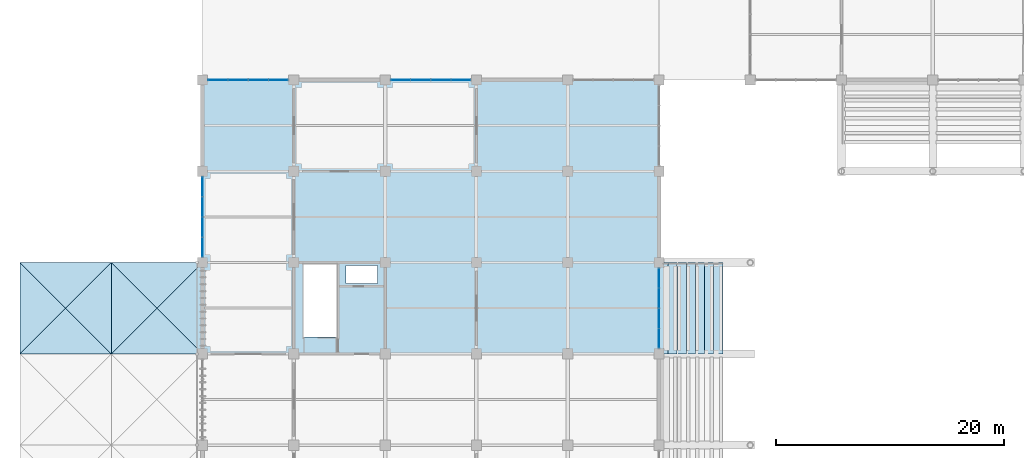
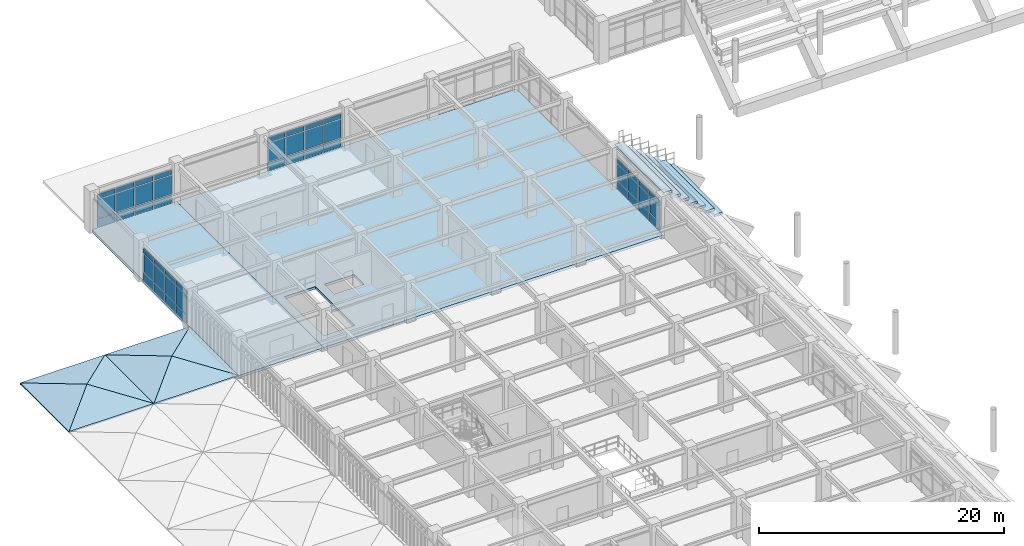
# One storey, part 79 of 118: 48 plates, 17 slabs, 4 elements without a shape of their own.
"""IFC4 building model written with IfcOpenShell, lengths in metres."""

from ifc_helpers import new_model, si_unit, direction, frame, origin, origin_2d, place, context, subcontext, project, spatial, polyline, rectangle, outline, extrude, material, layer, layer_set, type_object, element, aggregate, save


model = new_model("IFC4")

# Units and contexts
model_context = context("Model", 3, precision=1e-05, world=origin(), true_north=direction((0.0, 1.0)))
body_context = subcontext(model_context, "Body", "Model", "MODEL_VIEW")
ifc_project = project(units=[si_unit("LENGTHUNIT", "METRE"), si_unit("AREAUNIT", "SQUARE_METRE"), si_unit("VOLUMEUNIT", "CUBIC_METRE"), si_unit("PLANEANGLEUNIT", "RADIAN"), si_unit("MASSUNIT", "GRAM", prefix="KILO")], contexts=[model_context])

# Site, building, storey
site_placement = place(None, origin())
site = spatial("IfcSite", under=ifc_project, at=site_placement, CompositionType="ELEMENT")
building_placement = place(site_placement, origin())
building = spatial("IfcBuilding", under=site, at=building_placement, Name="Haebicheon Civic Stadium", CompositionType="ELEMENT")
storey_placement = place(building_placement, frame((0.0, 0.0, 14.39990234375)))
storey = spatial("IfcBuildingStorey", under=building, at=storey_placement, Name="L04", CompositionType="ELEMENT", Elevation=14.39990234375)

# Curtain wall, plates
ifc_material_1 = material(Name="Anodised aluminium and laminated glass", Category="aluminium")
ifc_layer_1 = layer(ifc_material_1, 0.179931640625, Name="Anodised aluminium and laminated glass")
ifc_layer_set_1 = layer_set([ifc_layer_1], Name="Anodised aluminium and laminated glass")
curtain_wall_type_1 = type_object("IfcCurtainWallType", Name="CW-7100x3330", PredefinedType="NOTDEFINED", material=ifc_layer_set_1)
curtain_wall_1_placement = place(storey_placement, origin())
curtain_wall_1 = element("IfcCurtainWall", 1, at=curtain_wall_1_placement, inside=storey, type_object=curtain_wall_type_1, material=ifc_layer_set_1, Name="L04 unitised curtain wall 111", PredefinedType="NOTDEFINED")
ifc_material_2 = material(Name="Double low-e acoustic laminated glass", Category="glass")
ifc_layer_2 = layer(ifc_material_2, 0.035888671875, Name="Double low-e acoustic laminated glass")
ifc_layer_set_2 = layer_set([ifc_layer_2], Name="Double low-e acoustic laminated glass")
plate_type_1 = type_object("IfcPlateType", Name="CWP-GLZ-36", PredefinedType="CURTAIN_PANEL", material=ifc_layer_set_2)
plate_1_placement = place(storey_placement, frame((24.0, 137.35498046875, 0.93505859375), z_axis=(0.0, 0.0, 1.0), x_axis=(0.0, 1.0, 0.0)))
plate_1 = element("IfcPlate", 2, at=plate_1_placement, type_object=plate_type_1, material=ifc_layer_set_2, Name="CW-L04-111 vision panel 1.2", PredefinedType="CURTAIN_PANEL", context=body_context, shape_type="SweptSolid", body=[
    extrude(rectangle(XDim=1.669921875, YDim=0.035888671875, at=origin_2d()), origin(), (0.0, 0.0, 1.0), 1.81005859375),
])
plate_2_placement = place(storey_placement, frame((24.0, 139.112060546875, 0.93505859375), z_axis=(0.0, 0.0, 1.0), x_axis=(0.0, 1.0, 0.0)))
plate_2 = element("IfcPlate", 3, at=plate_2_placement, type_object=plate_type_1, material=ifc_layer_set_2, Name="CW-L04-111 vision panel 2.2", PredefinedType="CURTAIN_PANEL", context=body_context, shape_type="SweptSolid", body=[
    extrude(rectangle(XDim=1.705078125, YDim=0.035888671875, at=origin_2d()), origin(), (0.0, 0.0, 1.0), 1.81005859375),
])
plate_3_placement = place(storey_placement, frame((24.0, 140.887939453125, 0.93505859375), z_axis=(0.0, 0.0, 1.0), x_axis=(0.0, 1.0, 0.0)))
plate_3 = element("IfcPlate", 4, at=plate_3_placement, type_object=plate_type_1, material=ifc_layer_set_2, Name="CW-L04-111 vision panel 3.2", PredefinedType="CURTAIN_PANEL", context=body_context, shape_type="SweptSolid", body=[
    extrude(rectangle(XDim=1.705078125, YDim=0.035888671875, at=origin_2d()), origin(), (0.0, 0.0, 1.0), 1.81005859375),
])
plate_4_placement = place(storey_placement, frame((24.0, 142.64501953125, 0.93505859375), z_axis=(0.0, 0.0, 1.0), x_axis=(0.0, 1.0, 0.0)))
plate_4 = element("IfcPlate", 5, at=plate_4_placement, type_object=plate_type_1, material=ifc_layer_set_2, Name="CW-L04-111 vision panel 4.2", PredefinedType="CURTAIN_PANEL", context=body_context, shape_type="SweptSolid", body=[
    extrude(rectangle(XDim=1.669921875, YDim=0.035888671875, at=origin_2d()), origin(), (0.0, 0.0, 1.0), 1.81005859375),
])

ifc_material_3 = material(Name="Anodised aluminium and laminated glass", Category="aluminium")
ifc_layer_3 = layer(ifc_material_3, 0.179931640625, Name="Anodised aluminium and laminated glass")
ifc_layer_set_3 = layer_set([ifc_layer_3], Name="Anodised aluminium and laminated glass")
curtain_wall_type_2 = type_object("IfcCurtainWallType", Name="CW-7100x3350", PredefinedType="NOTDEFINED", material=ifc_layer_set_3)
curtain_wall_2_placement = place(storey_placement, origin())
curtain_wall_2 = element("IfcCurtainWall", 6, at=curtain_wall_2_placement, inside=storey, type_object=curtain_wall_type_2, material=ifc_layer_set_3, Name="L04 unitised curtain wall 112", PredefinedType="NOTDEFINED")
plate_5_placement = place(storey_placement, frame((25.35498046875, 152.0, 0.93505859375), z_axis=(0.0, 0.0, 1.0), x_axis=(1.0, 0.0, 0.0)))
plate_5 = element("IfcPlate", 7, at=plate_5_placement, type_object=plate_type_1, material=ifc_layer_set_2, Name="CW-L04-112 vision panel 1.2", PredefinedType="CURTAIN_PANEL", context=body_context, shape_type="SweptSolid", body=[
    extrude(rectangle(XDim=1.669921875, YDim=0.035888671875, at=origin_2d()), origin(), (0.0, 0.0, 1.0), 1.830078125),
])
plate_6_placement = place(storey_placement, frame((27.112060546875, 152.0, 0.93505859375), z_axis=(0.0, 0.0, 1.0), x_axis=(1.0, 0.0, 0.0)))
plate_6 = element("IfcPlate", 8, at=plate_6_placement, type_object=plate_type_1, material=ifc_layer_set_2, Name="CW-L04-112 vision panel 2.2", PredefinedType="CURTAIN_PANEL", context=body_context, shape_type="SweptSolid", body=[
    extrude(rectangle(XDim=1.705078125, YDim=0.035888671875, at=origin_2d()), origin(), (0.0, 0.0, 1.0), 1.830078125),
])
plate_7_placement = place(storey_placement, frame((28.887939453125, 152.0, 0.93505859375), z_axis=(0.0, 0.0, 1.0), x_axis=(1.0, 0.0, 0.0)))
plate_7 = element("IfcPlate", 9, at=plate_7_placement, type_object=plate_type_1, material=ifc_layer_set_2, Name="CW-L04-112 vision panel 3.2", PredefinedType="CURTAIN_PANEL", context=body_context, shape_type="SweptSolid", body=[
    extrude(rectangle(XDim=1.705078125, YDim=0.035888671875, at=origin_2d()), origin(), (0.0, 0.0, 1.0), 1.830078125),
])
plate_8_placement = place(storey_placement, frame((30.64501953125, 152.0, 0.93505859375), z_axis=(0.0, 0.0, 1.0), x_axis=(1.0, 0.0, 0.0)))
plate_8 = element("IfcPlate", 10, at=plate_8_placement, type_object=plate_type_1, material=ifc_layer_set_2, Name="CW-L04-112 vision panel 4.2", PredefinedType="CURTAIN_PANEL", context=body_context, shape_type="SweptSolid", body=[
    extrude(rectangle(XDim=1.669921875, YDim=0.035888671875, at=origin_2d()), origin(), (0.0, 0.0, 1.0), 1.830078125),
])

curtain_wall_3_placement = place(storey_placement, origin())
curtain_wall_3 = element("IfcCurtainWall", 11, at=curtain_wall_3_placement, inside=storey, type_object=curtain_wall_type_2, material=ifc_layer_set_3, Name="L04 unitised curtain wall 114", PredefinedType="NOTDEFINED")
plate_9_placement = place(storey_placement, frame((41.35498046875, 152.0, 0.93505859375), z_axis=(0.0, 0.0, 1.0), x_axis=(1.0, 0.0, 0.0)))
plate_9 = element("IfcPlate", 12, at=plate_9_placement, type_object=plate_type_1, material=ifc_layer_set_2, Name="CW-L04-114 vision panel 1.2", PredefinedType="CURTAIN_PANEL", context=body_context, shape_type="SweptSolid", body=[
    extrude(rectangle(XDim=1.669921875, YDim=0.035888671875, at=origin_2d()), origin(), (0.0, 0.0, 1.0), 1.830078125),
])
plate_10_placement = place(storey_placement, frame((43.112060546875, 152.0, 0.93505859375), z_axis=(0.0, 0.0, 1.0), x_axis=(1.0, 0.0, 0.0)))
plate_10 = element("IfcPlate", 13, at=plate_10_placement, type_object=plate_type_1, material=ifc_layer_set_2, Name="CW-L04-114 vision panel 2.2", PredefinedType="CURTAIN_PANEL", context=body_context, shape_type="SweptSolid", body=[
    extrude(rectangle(XDim=1.705078125, YDim=0.035888671875, at=origin_2d()), origin(), (0.0, 0.0, 1.0), 1.830078125),
])
plate_11_placement = place(storey_placement, frame((44.887939453125, 152.0, 0.93505859375), z_axis=(0.0, 0.0, 1.0), x_axis=(1.0, 0.0, 0.0)))
plate_11 = element("IfcPlate", 14, at=plate_11_placement, type_object=plate_type_1, material=ifc_layer_set_2, Name="CW-L04-114 vision panel 3.2", PredefinedType="CURTAIN_PANEL", context=body_context, shape_type="SweptSolid", body=[
    extrude(rectangle(XDim=1.705078125, YDim=0.035888671875, at=origin_2d()), origin(), (0.0, 0.0, 1.0), 1.830078125),
])
plate_12_placement = place(storey_placement, frame((46.64501953125, 152.0, 0.93505859375), z_axis=(0.0, 0.0, 1.0), x_axis=(1.0, 0.0, 0.0)))
plate_12 = element("IfcPlate", 15, at=plate_12_placement, type_object=plate_type_1, material=ifc_layer_set_2, Name="CW-L04-114 vision panel 4.2", PredefinedType="CURTAIN_PANEL", context=body_context, shape_type="SweptSolid", body=[
    extrude(rectangle(XDim=1.669921875, YDim=0.035888671875, at=origin_2d()), origin(), (0.0, 0.0, 1.0), 1.830078125),
])

ifc_material_4 = material(Name="Anodised aluminium and laminated glass", Category="aluminium")
ifc_layer_4 = layer(ifc_material_4, 0.179931640625, Name="Anodised aluminium and laminated glass")
ifc_layer_set_4 = layer_set([ifc_layer_4], Name="Anodised aluminium and laminated glass")
curtain_wall_type_3 = type_object("IfcCurtainWallType", Name="CW-7100x3100", PredefinedType="NOTDEFINED", material=ifc_layer_set_4)
curtain_wall_4_placement = place(storey_placement, origin())
curtain_wall_4 = element("IfcCurtainWall", 16, at=curtain_wall_4_placement, inside=storey, type_object=curtain_wall_type_3, material=ifc_layer_set_4, Name="L04 unitised curtain wall 122", PredefinedType="NOTDEFINED")
plate_13_placement = place(storey_placement, frame((64.0, 129.35498046875, 0.93505859375), z_axis=(0.0, 0.0, 1.0), x_axis=(0.0, 1.0, 0.0)))
plate_13 = element("IfcPlate", 17, at=plate_13_placement, type_object=plate_type_1, material=ifc_layer_set_2, Name="CW-L04-122 vision panel 1.2", PredefinedType="CURTAIN_PANEL", context=body_context, shape_type="SweptSolid", body=[
    extrude(rectangle(XDim=1.669921875, YDim=0.035888671875, at=origin_2d()), origin(), (0.0, 0.0, 1.0), 1.580078125),
])
plate_14_placement = place(storey_placement, frame((64.0, 131.112060546875, 0.93505859375), z_axis=(0.0, 0.0, 1.0), x_axis=(0.0, 1.0, 0.0)))
plate_14 = element("IfcPlate", 18, at=plate_14_placement, type_object=plate_type_1, material=ifc_layer_set_2, Name="CW-L04-122 vision panel 2.2", PredefinedType="CURTAIN_PANEL", context=body_context, shape_type="SweptSolid", body=[
    extrude(rectangle(XDim=1.705078125, YDim=0.035888671875, at=origin_2d()), origin(), (0.0, 0.0, 1.0), 1.580078125),
])
plate_15_placement = place(storey_placement, frame((64.0, 132.887939453125, 0.93505859375), z_axis=(0.0, 0.0, 1.0), x_axis=(0.0, 1.0, 0.0)))
plate_15 = element("IfcPlate", 19, at=plate_15_placement, type_object=plate_type_1, material=ifc_layer_set_2, Name="CW-L04-122 vision panel 3.2", PredefinedType="CURTAIN_PANEL", context=body_context, shape_type="SweptSolid", body=[
    extrude(rectangle(XDim=1.705078125, YDim=0.035888671875, at=origin_2d()), origin(), (0.0, 0.0, 1.0), 1.580078125),
])
plate_16_placement = place(storey_placement, frame((64.0, 134.64501953125, 0.93505859375), z_axis=(0.0, 0.0, 1.0), x_axis=(0.0, 1.0, 0.0)))
plate_16 = element("IfcPlate", 20, at=plate_16_placement, type_object=plate_type_1, material=ifc_layer_set_2, Name="CW-L04-122 vision panel 4.2", PredefinedType="CURTAIN_PANEL", context=body_context, shape_type="SweptSolid", body=[
    extrude(rectangle(XDim=1.669921875, YDim=0.035888671875, at=origin_2d()), origin(), (0.0, 0.0, 1.0), 1.580078125),
])

# Plate
ifc_material_5 = material(Name="Anodised aluminium 6063-T6", Category="aluminium")
ifc_layer_5 = layer(ifc_material_5, 0.053955078125, Name="Anodised aluminium 6063-T6")
ifc_layer_set_5 = layer_set([ifc_layer_5], Name="Anodised aluminium 6063-T6")
plate_type_2 = type_object("IfcPlateType", Name="CWP-SPD-54", PredefinedType="CURTAIN_PANEL", material=ifc_layer_set_5)
plate_17_placement = place(storey_placement, frame((24.0, 137.35498046875, 0.03515625), z_axis=(0.0, 0.0, 1.0), x_axis=(0.0, 1.0, 0.0)))
plate_17 = element("IfcPlate", 21, at=plate_17_placement, type_object=plate_type_2, material=ifc_layer_set_5, Name="CW-L04-111 spandrel panel 1.1", PredefinedType="CURTAIN_PANEL", context=body_context, shape_type="SweptSolid", body=[
    extrude(rectangle(XDim=1.669921875, YDim=0.053955078125, at=origin_2d()), origin(), (0.0, 0.0, 1.0), 0.830078125),
])

plate_18_placement = place(storey_placement, frame((24.0, 137.35498046875, 2.815185546875), z_axis=(0.0, 0.0, 1.0), x_axis=(0.0, 1.0, 0.0)))
plate_18 = element("IfcPlate", 22, at=plate_18_placement, type_object=plate_type_2, material=ifc_layer_set_5, Name="CW-L04-111 spandrel panel 1.3", PredefinedType="CURTAIN_PANEL", context=body_context, shape_type="SweptSolid", body=[
    extrude(rectangle(XDim=1.669921875, YDim=0.053955078125, at=origin_2d()), origin(), (0.0, 0.0, 1.0), 0.47998046875),
])

plate_19_placement = place(storey_placement, frame((24.0, 139.112060546875, 0.03515625), z_axis=(0.0, 0.0, 1.0), x_axis=(0.0, 1.0, 0.0)))
plate_19 = element("IfcPlate", 23, at=plate_19_placement, type_object=plate_type_2, material=ifc_layer_set_5, Name="CW-L04-111 spandrel panel 2.1", PredefinedType="CURTAIN_PANEL", context=body_context, shape_type="SweptSolid", body=[
    extrude(rectangle(XDim=1.705078125, YDim=0.053955078125, at=origin_2d()), origin(), (0.0, 0.0, 1.0), 0.830078125),
])

plate_20_placement = place(storey_placement, frame((24.0, 139.112060546875, 2.815185546875), z_axis=(0.0, 0.0, 1.0), x_axis=(0.0, 1.0, 0.0)))
plate_20 = element("IfcPlate", 24, at=plate_20_placement, type_object=plate_type_2, material=ifc_layer_set_5, Name="CW-L04-111 spandrel panel 2.3", PredefinedType="CURTAIN_PANEL", context=body_context, shape_type="SweptSolid", body=[
    extrude(rectangle(XDim=1.705078125, YDim=0.053955078125, at=origin_2d()), origin(), (0.0, 0.0, 1.0), 0.47998046875),
])

plate_21_placement = place(storey_placement, frame((24.0, 140.887939453125, 0.03515625), z_axis=(0.0, 0.0, 1.0), x_axis=(0.0, 1.0, 0.0)))
plate_21 = element("IfcPlate", 25, at=plate_21_placement, type_object=plate_type_2, material=ifc_layer_set_5, Name="CW-L04-111 spandrel panel 3.1", PredefinedType="CURTAIN_PANEL", context=body_context, shape_type="SweptSolid", body=[
    extrude(rectangle(XDim=1.705078125, YDim=0.053955078125, at=origin_2d()), origin(), (0.0, 0.0, 1.0), 0.830078125),
])

plate_22_placement = place(storey_placement, frame((24.0, 140.887939453125, 2.815185546875), z_axis=(0.0, 0.0, 1.0), x_axis=(0.0, 1.0, 0.0)))
plate_22 = element("IfcPlate", 26, at=plate_22_placement, type_object=plate_type_2, material=ifc_layer_set_5, Name="CW-L04-111 spandrel panel 3.3", PredefinedType="CURTAIN_PANEL", context=body_context, shape_type="SweptSolid", body=[
    extrude(rectangle(XDim=1.705078125, YDim=0.053955078125, at=origin_2d()), origin(), (0.0, 0.0, 1.0), 0.47998046875),
])

plate_23_placement = place(storey_placement, frame((24.0, 142.64501953125, 0.03515625), z_axis=(0.0, 0.0, 1.0), x_axis=(0.0, 1.0, 0.0)))
plate_23 = element("IfcPlate", 27, at=plate_23_placement, type_object=plate_type_2, material=ifc_layer_set_5, Name="CW-L04-111 spandrel panel 4.1", PredefinedType="CURTAIN_PANEL", context=body_context, shape_type="SweptSolid", body=[
    extrude(rectangle(XDim=1.669921875, YDim=0.053955078125, at=origin_2d()), origin(), (0.0, 0.0, 1.0), 0.830078125),
])

plate_24_placement = place(storey_placement, frame((24.0, 142.64501953125, 2.815185546875), z_axis=(0.0, 0.0, 1.0), x_axis=(0.0, 1.0, 0.0)))
plate_24 = element("IfcPlate", 28, at=plate_24_placement, type_object=plate_type_2, material=ifc_layer_set_5, Name="CW-L04-111 spandrel panel 4.3", PredefinedType="CURTAIN_PANEL", context=body_context, shape_type="SweptSolid", body=[
    extrude(rectangle(XDim=1.669921875, YDim=0.053955078125, at=origin_2d()), origin(), (0.0, 0.0, 1.0), 0.47998046875),
])

aggregate(curtain_wall_1, [plate_17, plate_1, plate_18, plate_19, plate_2, plate_20, plate_21, plate_3, plate_22, plate_23, plate_4, plate_24])

plate_25_placement = place(storey_placement, frame((25.35498046875, 152.0, 0.03515625), z_axis=(0.0, 0.0, 1.0), x_axis=(1.0, 0.0, 0.0)))
plate_25 = element("IfcPlate", 29, at=plate_25_placement, type_object=plate_type_2, material=ifc_layer_set_5, Name="CW-L04-112 spandrel panel 1.1", PredefinedType="CURTAIN_PANEL", context=body_context, shape_type="SweptSolid", body=[
    extrude(rectangle(XDim=1.669921875, YDim=0.053955078125, at=origin_2d()), origin(), (0.0, 0.0, 1.0), 0.830078125),
])

plate_26_placement = place(storey_placement, frame((25.35498046875, 152.0, 2.835205078125), z_axis=(0.0, 0.0, 1.0), x_axis=(1.0, 0.0, 0.0)))
plate_26 = element("IfcPlate", 30, at=plate_26_placement, type_object=plate_type_2, material=ifc_layer_set_5, Name="CW-L04-112 spandrel panel 1.3", PredefinedType="CURTAIN_PANEL", context=body_context, shape_type="SweptSolid", body=[
    extrude(rectangle(XDim=1.669921875, YDim=0.053955078125, at=origin_2d()), origin(), (0.0, 0.0, 1.0), 0.47998046875),
])

plate_27_placement = place(storey_placement, frame((27.112060546875, 152.0, 0.03515625), z_axis=(0.0, 0.0, 1.0), x_axis=(1.0, 0.0, 0.0)))
plate_27 = element("IfcPlate", 31, at=plate_27_placement, type_object=plate_type_2, material=ifc_layer_set_5, Name="CW-L04-112 spandrel panel 2.1", PredefinedType="CURTAIN_PANEL", context=body_context, shape_type="SweptSolid", body=[
    extrude(rectangle(XDim=1.705078125, YDim=0.053955078125, at=origin_2d()), origin(), (0.0, 0.0, 1.0), 0.830078125),
])

plate_28_placement = place(storey_placement, frame((27.112060546875, 152.0, 2.835205078125), z_axis=(0.0, 0.0, 1.0), x_axis=(1.0, 0.0, 0.0)))
plate_28 = element("IfcPlate", 32, at=plate_28_placement, type_object=plate_type_2, material=ifc_layer_set_5, Name="CW-L04-112 spandrel panel 2.3", PredefinedType="CURTAIN_PANEL", context=body_context, shape_type="SweptSolid", body=[
    extrude(rectangle(XDim=1.705078125, YDim=0.053955078125, at=origin_2d()), origin(), (0.0, 0.0, 1.0), 0.47998046875),
])

plate_29_placement = place(storey_placement, frame((28.887939453125, 152.0, 0.03515625), z_axis=(0.0, 0.0, 1.0), x_axis=(1.0, 0.0, 0.0)))
plate_29 = element("IfcPlate", 33, at=plate_29_placement, type_object=plate_type_2, material=ifc_layer_set_5, Name="CW-L04-112 spandrel panel 3.1", PredefinedType="CURTAIN_PANEL", context=body_context, shape_type="SweptSolid", body=[
    extrude(rectangle(XDim=1.705078125, YDim=0.053955078125, at=origin_2d()), origin(), (0.0, 0.0, 1.0), 0.830078125),
])

plate_30_placement = place(storey_placement, frame((28.887939453125, 152.0, 2.835205078125), z_axis=(0.0, 0.0, 1.0), x_axis=(1.0, 0.0, 0.0)))
plate_30 = element("IfcPlate", 34, at=plate_30_placement, type_object=plate_type_2, material=ifc_layer_set_5, Name="CW-L04-112 spandrel panel 3.3", PredefinedType="CURTAIN_PANEL", context=body_context, shape_type="SweptSolid", body=[
    extrude(rectangle(XDim=1.705078125, YDim=0.053955078125, at=origin_2d()), origin(), (0.0, 0.0, 1.0), 0.47998046875),
])

plate_31_placement = place(storey_placement, frame((30.64501953125, 152.0, 0.03515625), z_axis=(0.0, 0.0, 1.0), x_axis=(1.0, 0.0, 0.0)))
plate_31 = element("IfcPlate", 35, at=plate_31_placement, type_object=plate_type_2, material=ifc_layer_set_5, Name="CW-L04-112 spandrel panel 4.1", PredefinedType="CURTAIN_PANEL", context=body_context, shape_type="SweptSolid", body=[
    extrude(rectangle(XDim=1.669921875, YDim=0.053955078125, at=origin_2d()), origin(), (0.0, 0.0, 1.0), 0.830078125),
])

plate_32_placement = place(storey_placement, frame((30.64501953125, 152.0, 2.835205078125), z_axis=(0.0, 0.0, 1.0), x_axis=(1.0, 0.0, 0.0)))
plate_32 = element("IfcPlate", 36, at=plate_32_placement, type_object=plate_type_2, material=ifc_layer_set_5, Name="CW-L04-112 spandrel panel 4.3", PredefinedType="CURTAIN_PANEL", context=body_context, shape_type="SweptSolid", body=[
    extrude(rectangle(XDim=1.669921875, YDim=0.053955078125, at=origin_2d()), origin(), (0.0, 0.0, 1.0), 0.47998046875),
])

aggregate(curtain_wall_2, [plate_25, plate_5, plate_26, plate_27, plate_6, plate_28, plate_29, plate_7, plate_30, plate_31, plate_8, plate_32])

plate_33_placement = place(storey_placement, frame((41.35498046875, 152.0, 0.03515625), z_axis=(0.0, 0.0, 1.0), x_axis=(1.0, 0.0, 0.0)))
plate_33 = element("IfcPlate", 37, at=plate_33_placement, type_object=plate_type_2, material=ifc_layer_set_5, Name="CW-L04-114 spandrel panel 1.1", PredefinedType="CURTAIN_PANEL", context=body_context, shape_type="SweptSolid", body=[
    extrude(rectangle(XDim=1.669921875, YDim=0.053955078125, at=origin_2d()), origin(), (0.0, 0.0, 1.0), 0.830078125),
])

plate_34_placement = place(storey_placement, frame((41.35498046875, 152.0, 2.835205078125), z_axis=(0.0, 0.0, 1.0), x_axis=(1.0, 0.0, 0.0)))
plate_34 = element("IfcPlate", 38, at=plate_34_placement, type_object=plate_type_2, material=ifc_layer_set_5, Name="CW-L04-114 spandrel panel 1.3", PredefinedType="CURTAIN_PANEL", context=body_context, shape_type="SweptSolid", body=[
    extrude(rectangle(XDim=1.669921875, YDim=0.053955078125, at=origin_2d()), origin(), (0.0, 0.0, 1.0), 0.47998046875),
])

plate_35_placement = place(storey_placement, frame((43.112060546875, 152.0, 0.03515625), z_axis=(0.0, 0.0, 1.0), x_axis=(1.0, 0.0, 0.0)))
plate_35 = element("IfcPlate", 39, at=plate_35_placement, type_object=plate_type_2, material=ifc_layer_set_5, Name="CW-L04-114 spandrel panel 2.1", PredefinedType="CURTAIN_PANEL", context=body_context, shape_type="SweptSolid", body=[
    extrude(rectangle(XDim=1.705078125, YDim=0.053955078125, at=origin_2d()), origin(), (0.0, 0.0, 1.0), 0.830078125),
])

plate_36_placement = place(storey_placement, frame((43.112060546875, 152.0, 2.835205078125), z_axis=(0.0, 0.0, 1.0), x_axis=(1.0, 0.0, 0.0)))
plate_36 = element("IfcPlate", 40, at=plate_36_placement, type_object=plate_type_2, material=ifc_layer_set_5, Name="CW-L04-114 spandrel panel 2.3", PredefinedType="CURTAIN_PANEL", context=body_context, shape_type="SweptSolid", body=[
    extrude(rectangle(XDim=1.705078125, YDim=0.053955078125, at=origin_2d()), origin(), (0.0, 0.0, 1.0), 0.47998046875),
])

plate_37_placement = place(storey_placement, frame((44.887939453125, 152.0, 0.03515625), z_axis=(0.0, 0.0, 1.0), x_axis=(1.0, 0.0, 0.0)))
plate_37 = element("IfcPlate", 41, at=plate_37_placement, type_object=plate_type_2, material=ifc_layer_set_5, Name="CW-L04-114 spandrel panel 3.1", PredefinedType="CURTAIN_PANEL", context=body_context, shape_type="SweptSolid", body=[
    extrude(rectangle(XDim=1.705078125, YDim=0.053955078125, at=origin_2d()), origin(), (0.0, 0.0, 1.0), 0.830078125),
])

plate_38_placement = place(storey_placement, frame((44.887939453125, 152.0, 2.835205078125), z_axis=(0.0, 0.0, 1.0), x_axis=(1.0, 0.0, 0.0)))
plate_38 = element("IfcPlate", 42, at=plate_38_placement, type_object=plate_type_2, material=ifc_layer_set_5, Name="CW-L04-114 spandrel panel 3.3", PredefinedType="CURTAIN_PANEL", context=body_context, shape_type="SweptSolid", body=[
    extrude(rectangle(XDim=1.705078125, YDim=0.053955078125, at=origin_2d()), origin(), (0.0, 0.0, 1.0), 0.47998046875),
])

plate_39_placement = place(storey_placement, frame((46.64501953125, 152.0, 0.03515625), z_axis=(0.0, 0.0, 1.0), x_axis=(1.0, 0.0, 0.0)))
plate_39 = element("IfcPlate", 43, at=plate_39_placement, type_object=plate_type_2, material=ifc_layer_set_5, Name="CW-L04-114 spandrel panel 4.1", PredefinedType="CURTAIN_PANEL", context=body_context, shape_type="SweptSolid", body=[
    extrude(rectangle(XDim=1.669921875, YDim=0.053955078125, at=origin_2d()), origin(), (0.0, 0.0, 1.0), 0.830078125),
])

plate_40_placement = place(storey_placement, frame((46.64501953125, 152.0, 2.835205078125), z_axis=(0.0, 0.0, 1.0), x_axis=(1.0, 0.0, 0.0)))
plate_40 = element("IfcPlate", 44, at=plate_40_placement, type_object=plate_type_2, material=ifc_layer_set_5, Name="CW-L04-114 spandrel panel 4.3", PredefinedType="CURTAIN_PANEL", context=body_context, shape_type="SweptSolid", body=[
    extrude(rectangle(XDim=1.669921875, YDim=0.053955078125, at=origin_2d()), origin(), (0.0, 0.0, 1.0), 0.47998046875),
])

aggregate(curtain_wall_3, [plate_33, plate_9, plate_34, plate_35, plate_10, plate_36, plate_37, plate_11, plate_38, plate_39, plate_12, plate_40])

plate_41_placement = place(storey_placement, frame((64.0, 129.35498046875, 0.03515625), z_axis=(0.0, 0.0, 1.0), x_axis=(0.0, 1.0, 0.0)))
plate_41 = element("IfcPlate", 45, at=plate_41_placement, type_object=plate_type_2, material=ifc_layer_set_5, Name="CW-L04-122 spandrel panel 1.1", PredefinedType="CURTAIN_PANEL", context=body_context, shape_type="SweptSolid", body=[
    extrude(rectangle(XDim=1.669921875, YDim=0.053955078125, at=origin_2d()), origin(), (0.0, 0.0, 1.0), 0.830078125),
])

plate_42_placement = place(storey_placement, frame((64.0, 129.35498046875, 2.585205078125), z_axis=(0.0, 0.0, 1.0), x_axis=(0.0, 1.0, 0.0)))
plate_42 = element("IfcPlate", 46, at=plate_42_placement, type_object=plate_type_2, material=ifc_layer_set_5, Name="CW-L04-122 spandrel panel 1.3", PredefinedType="CURTAIN_PANEL", context=body_context, shape_type="SweptSolid", body=[
    extrude(rectangle(XDim=1.669921875, YDim=0.053955078125, at=origin_2d()), origin(), (0.0, 0.0, 1.0), 0.47998046875),
])

plate_43_placement = place(storey_placement, frame((64.0, 131.112060546875, 0.03515625), z_axis=(0.0, 0.0, 1.0), x_axis=(0.0, 1.0, 0.0)))
plate_43 = element("IfcPlate", 47, at=plate_43_placement, type_object=plate_type_2, material=ifc_layer_set_5, Name="CW-L04-122 spandrel panel 2.1", PredefinedType="CURTAIN_PANEL", context=body_context, shape_type="SweptSolid", body=[
    extrude(rectangle(XDim=1.705078125, YDim=0.053955078125, at=origin_2d()), origin(), (0.0, 0.0, 1.0), 0.830078125),
])

plate_44_placement = place(storey_placement, frame((64.0, 131.112060546875, 2.585205078125), z_axis=(0.0, 0.0, 1.0), x_axis=(0.0, 1.0, 0.0)))
plate_44 = element("IfcPlate", 48, at=plate_44_placement, type_object=plate_type_2, material=ifc_layer_set_5, Name="CW-L04-122 spandrel panel 2.3", PredefinedType="CURTAIN_PANEL", context=body_context, shape_type="SweptSolid", body=[
    extrude(rectangle(XDim=1.705078125, YDim=0.053955078125, at=origin_2d()), origin(), (0.0, 0.0, 1.0), 0.47998046875),
])

plate_45_placement = place(storey_placement, frame((64.0, 132.887939453125, 0.03515625), z_axis=(0.0, 0.0, 1.0), x_axis=(0.0, 1.0, 0.0)))
plate_45 = element("IfcPlate", 49, at=plate_45_placement, type_object=plate_type_2, material=ifc_layer_set_5, Name="CW-L04-122 spandrel panel 3.1", PredefinedType="CURTAIN_PANEL", context=body_context, shape_type="SweptSolid", body=[
    extrude(rectangle(XDim=1.705078125, YDim=0.053955078125, at=origin_2d()), origin(), (0.0, 0.0, 1.0), 0.830078125),
])

plate_46_placement = place(storey_placement, frame((64.0, 132.887939453125, 2.585205078125), z_axis=(0.0, 0.0, 1.0), x_axis=(0.0, 1.0, 0.0)))
plate_46 = element("IfcPlate", 50, at=plate_46_placement, type_object=plate_type_2, material=ifc_layer_set_5, Name="CW-L04-122 spandrel panel 3.3", PredefinedType="CURTAIN_PANEL", context=body_context, shape_type="SweptSolid", body=[
    extrude(rectangle(XDim=1.705078125, YDim=0.053955078125, at=origin_2d()), origin(), (0.0, 0.0, 1.0), 0.47998046875),
])

plate_47_placement = place(storey_placement, frame((64.0, 134.64501953125, 0.03515625), z_axis=(0.0, 0.0, 1.0), x_axis=(0.0, 1.0, 0.0)))
plate_47 = element("IfcPlate", 51, at=plate_47_placement, type_object=plate_type_2, material=ifc_layer_set_5, Name="CW-L04-122 spandrel panel 4.1", PredefinedType="CURTAIN_PANEL", context=body_context, shape_type="SweptSolid", body=[
    extrude(rectangle(XDim=1.669921875, YDim=0.053955078125, at=origin_2d()), origin(), (0.0, 0.0, 1.0), 0.830078125),
])

plate_48_placement = place(storey_placement, frame((64.0, 134.64501953125, 2.585205078125), z_axis=(0.0, 0.0, 1.0), x_axis=(0.0, 1.0, 0.0)))
plate_48 = element("IfcPlate", 52, at=plate_48_placement, type_object=plate_type_2, material=ifc_layer_set_5, Name="CW-L04-122 spandrel panel 4.3", PredefinedType="CURTAIN_PANEL", context=body_context, shape_type="SweptSolid", body=[
    extrude(rectangle(XDim=1.669921875, YDim=0.053955078125, at=origin_2d()), origin(), (0.0, 0.0, 1.0), 0.47998046875),
])

aggregate(curtain_wall_4, [plate_41, plate_13, plate_42, plate_43, plate_14, plate_44, plate_45, plate_15, plate_46, plate_47, plate_16, plate_48])

# Slabs
ifc_material_6 = material(Name="Concrete C40/50", Category="concrete")
ifc_layer_6 = layer(ifc_material_6, 0.260009765625, Name="Concrete C40/50")
ifc_layer_set_6 = layer_set([ifc_layer_6], Name="Concrete C40/50")
slab_type_1 = type_object("IfcSlabType", Name="SLB-FLR-260", PredefinedType="FLOOR", material=ifc_layer_set_6)
slab_1_placement = place(storey_placement, frame((0.0, 0.0, -0.260009765625)))
element("IfcSlab", 53, at=slab_1_placement, inside=storey, type_object=slab_type_1, material=ifc_layer_set_6, Name="L04 V1 structural slab 4.1", PredefinedType="FLOOR", context=body_context, shape_type="SweptSolid", body=[
    extrude(outline(polyline([(32.0, 128.0), (24.0, 128.0), (24.0, 136.0), (24.0, 144.0), (24.0, 152.0), (32.0, 152.0), (32.0, 144.0), (32.0, 136.0), (32.0, 128.0)])), origin(), (0.0, 0.0, 1.0), 0.260009765625),
])
slab_2_placement = place(storey_placement, frame((0.0, 0.0, -0.260009765625)))
element("IfcSlab", 54, at=slab_2_placement, inside=storey, type_object=slab_type_1, material=ifc_layer_set_6, Name="L04 V1 structural slab 8.1", PredefinedType="FLOOR", context=body_context, shape_type="SweptSolid", body=[
    extrude(outline(polyline([(32.0, 144.0), (32.0, 152.0), (40.0, 152.0), (48.0, 152.0), (56.0, 152.0), (64.0, 152.0), (64.0, 144.0), (64.0, 136.0), (64.0, 128.0), (56.0, 128.0), (48.0, 128.0), (40.0, 128.0), (32.0, 128.0), (32.0, 136.0), (32.0, 144.0)]), holes=[polyline([(32.840087890625, 129.4599609375), (35.739990234375, 129.4599609375), (35.739990234375, 135.840087890625), (32.840087890625, 135.840087890625), (32.840087890625, 129.4599609375)]), polyline([(36.550048828125, 134.14990234375), (39.35009765625, 134.14990234375), (39.35009765625, 135.75), (36.550048828125, 135.75), (36.550048828125, 134.14990234375)])]), origin(), (0.0, 0.0, 1.0), 0.260009765625),
])
ifc_material_7 = material(Name="Precast concrete C40/50", Category="concrete")
ifc_layer_7 = layer(ifc_material_7, 0.169921875, Name="Precast concrete C40/50")
ifc_layer_set_7 = layer_set([ifc_layer_7], Name="Precast concrete C40/50")
slab_type_2 = type_object("IfcSlabType", Name="SLB-ROOF-170", PredefinedType="ROOF", material=ifc_layer_set_7)
for number, where, z_axis, x_axis, name in (
    (55, (8.0, 128.0, 0.02001953125), (0.0, -0.219546201048, 0.975602104142), (1.0, 0.0, 0.0), "L04 V5 folded shell roof facet 11.S"),
    (56, (16.0, 128.0, 0.02001953125), (0.219546201048, 0.0, 0.975602104142), (0.0, 1.0, 0.0), "L04 V5 folded shell roof facet 11.E"),
    (57, (16.0, 136.0, 0.02001953125), (0.0, 0.219546201048, 0.975602104142), (-1.0, 0.0, 0.0), "L04 V5 folded shell roof facet 11.N"),
    (58, (8.0, 136.0, 0.02001953125), (-0.219546201048, 0.0, 0.975602104142), (0.0, -1.0, 0.0), "L04 V5 folded shell roof facet 11.W"),
    (59, (16.0, 128.0, 0.02001953125), (0.0, -0.219546201048, 0.975602104142), (1.0, 0.0, 0.0), "L04 V5 folded shell roof facet 22.S"),
    (60, (24.0, 128.0, 0.02001953125), (0.219546201048, 0.0, 0.975602104142), (0.0, 1.0, 0.0), "L04 V5 folded shell roof facet 22.E"),
    (61, (24.0, 136.0, 0.02001953125), (0.0, 0.219546201048, 0.975602104142), (-1.0, 0.0, 0.0), "L04 V5 folded shell roof facet 22.N"),
    (62, (16.0, 136.0, 0.02001953125), (-0.219546201048, 0.0, 0.975602104142), (0.0, -1.0, 0.0), "L04 V5 folded shell roof facet 22.W"),
):
    element("IfcSlab", number, at=place(storey_placement, frame(where, z_axis=z_axis, x_axis=x_axis)), inside=storey, type_object=slab_type_2, material=ifc_layer_set_7, Name=name, PredefinedType="ROOF", context=body_context, shape_type="SweptSolid", body=[
        extrude(outline(polyline([(0.0, 0.0), (8.0, 0.0), (4.0, 4.1000321575973855), (0.0, 0.0)])), origin(), (0.0, 0.0, -1.0), 0.169921875),
    ])
ifc_material_8 = material(Name="Precast concrete C40/50", Category="concrete")
ifc_layer_8 = layer(ifc_material_8, 0.239990234375, Name="Precast concrete C40/50")
ifc_layer_set_8 = layer_set([ifc_layer_8], Name="Precast concrete C40/50")
slab_type_3 = type_object("IfcSlabType", Name="SLB-TIER-240", PredefinedType="USERDEFINED", material=ifc_layer_set_8)
slab_3_placement = place(storey_placement, frame((0.0, 0.0, 0.093017578125)))
element("IfcSlab", 63, at=slab_3_placement, inside=storey, type_object=slab_type_3, material=ifc_layer_set_8, Name="TIER-W-U precast seating tier bay 11 row-band 4", ObjectType="SEATING TIER", PredefinedType="USERDEFINED", context=body_context, shape_type="SweptSolid", body=[
    extrude(outline(polyline([(68.800048828125, 128.0), (69.60009765625, 128.0), (69.60009765625, 136.0), (68.800048828125, 136.0), (68.800048828125, 128.0)])), origin(), (0.0, 0.0, 1.0), 0.239990234375),
])
slab_4_placement = place(storey_placement, frame((0.0, 0.0, 0.738037109375)))
element("IfcSlab", 64, at=slab_4_placement, inside=storey, type_object=slab_type_3, material=ifc_layer_set_8, Name="TIER-W-U precast seating tier bay 11 row-band 5", ObjectType="SEATING TIER", PredefinedType="USERDEFINED", context=body_context, shape_type="SweptSolid", body=[
    extrude(outline(polyline([(68.0, 128.0), (68.800048828125, 128.0), (68.800048828125, 136.0), (68.0, 136.0), (68.0, 128.0)])), origin(), (0.0, 0.0, 1.0), 0.239990234375),
])
slab_5_placement = place(storey_placement, frame((0.0, 0.0, 1.382080078125)))
element("IfcSlab", 65, at=slab_5_placement, inside=storey, type_object=slab_type_3, material=ifc_layer_set_8, Name="TIER-W-U precast seating tier bay 11 row-band 6", ObjectType="SEATING TIER", PredefinedType="USERDEFINED", context=body_context, shape_type="SweptSolid", body=[
    extrude(outline(polyline([(67.199951171875, 128.0), (68.0, 128.0), (68.0, 136.0), (67.199951171875, 136.0), (67.199951171875, 128.0)])), origin(), (0.0, 0.0, 1.0), 0.239990234375),
])
slab_6_placement = place(storey_placement, frame((0.0, 0.0, 2.027099609375)))
element("IfcSlab", 66, at=slab_6_placement, inside=storey, type_object=slab_type_3, material=ifc_layer_set_8, Name="TIER-W-U precast seating tier bay 11 row-band 7", ObjectType="SEATING TIER", PredefinedType="USERDEFINED", context=body_context, shape_type="SweptSolid", body=[
    extrude(outline(polyline([(66.39990234375, 128.0), (67.199951171875, 128.0), (67.199951171875, 136.0), (66.39990234375, 136.0), (66.39990234375, 128.0)])), origin(), (0.0, 0.0, 1.0), 0.239990234375),
])
slab_7_placement = place(storey_placement, frame((0.0, 0.0, 2.671142578125)))
element("IfcSlab", 67, at=slab_7_placement, inside=storey, type_object=slab_type_3, material=ifc_layer_set_8, Name="TIER-W-U precast seating tier bay 11 row-band 8", ObjectType="SEATING TIER", PredefinedType="USERDEFINED", context=body_context, shape_type="SweptSolid", body=[
    extrude(outline(polyline([(65.60009765625, 128.0), (66.39990234375, 128.0), (66.39990234375, 136.0), (65.60009765625, 136.0), (65.60009765625, 128.0)])), origin(), (0.0, 0.0, 1.0), 0.239990234375),
])
slab_8_placement = place(storey_placement, frame((0.0, 0.0, 3.316162109375)))
element("IfcSlab", 68, at=slab_8_placement, inside=storey, type_object=slab_type_3, material=ifc_layer_set_8, Name="TIER-W-U precast seating tier bay 11 row-band 9", ObjectType="SEATING TIER", PredefinedType="USERDEFINED", context=body_context, shape_type="SweptSolid", body=[
    extrude(outline(polyline([(64.800048828125, 128.0), (65.60009765625, 128.0), (65.60009765625, 136.0), (64.800048828125, 136.0), (64.800048828125, 128.0)])), origin(), (0.0, 0.0, 1.0), 0.239990234375),
])
slab_9_placement = place(storey_placement, frame((0.0, 0.0, 3.960205078125)))
element("IfcSlab", 69, at=slab_9_placement, inside=storey, type_object=slab_type_3, material=ifc_layer_set_8, Name="TIER-W-U precast seating tier bay 11 row-band 10", ObjectType="SEATING TIER", PredefinedType="USERDEFINED", context=body_context, shape_type="SweptSolid", body=[
    extrude(outline(polyline([(64.0, 128.0), (64.800048828125, 128.0), (64.800048828125, 136.0), (64.0, 136.0), (64.0, 128.0)])), origin(), (0.0, 0.0, 1.0), 0.239990234375),
])

save(model, "model.ifc")
